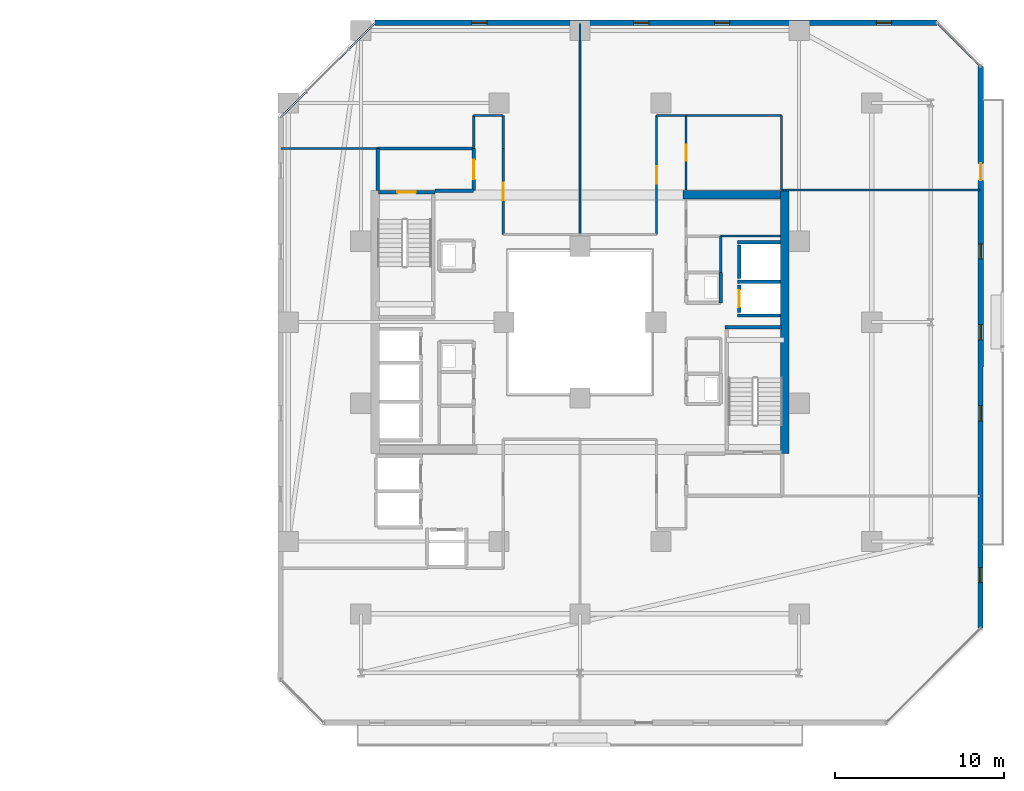
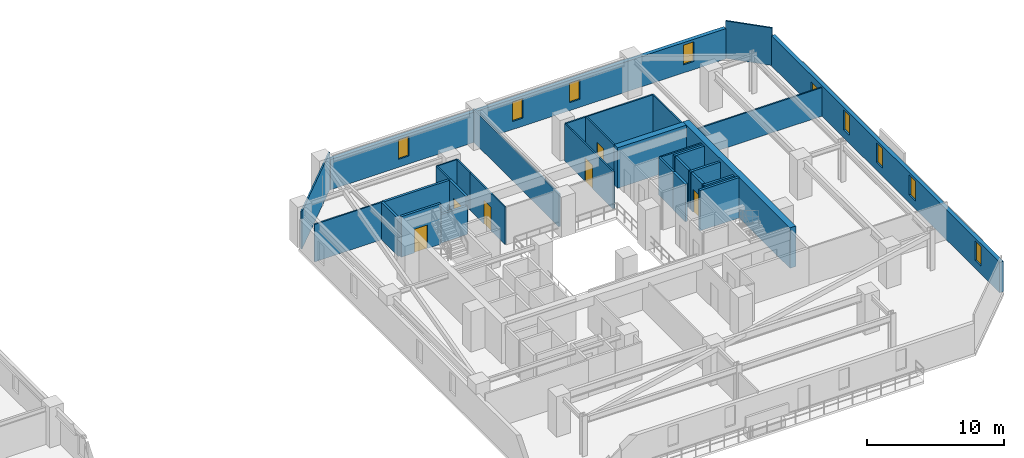
# One storey, part 23 of 31: 32 walls, 8 windows, 7 doors, 15 openings.
"""IFC4 building model written with IfcOpenShell, lengths in metres."""

from ifc_helpers import new_model, si_unit, direction, frame, frame_2d, origin, place, context, subcontext, project, spatial, rectangle, extrude, material, layer, layer_set, type_object, element, fill, save


model = new_model("IFC4")

# Units and contexts
model_context = context("Model", 3, precision=1e-05, world=origin(), true_north=direction((0.0, 1.0)))
body_context = subcontext(model_context, "Body", "Model", "MODEL_VIEW")
ifc_project = project(units=[si_unit("LENGTHUNIT", "METRE"), si_unit("AREAUNIT", "SQUARE_METRE"), si_unit("VOLUMEUNIT", "CUBIC_METRE"), si_unit("PLANEANGLEUNIT", "RADIAN"), si_unit("MASSUNIT", "GRAM", prefix="KILO")], contexts=[model_context])

# Site, building, storey
site_placement = place(None, origin())
site = spatial("IfcSite", under=ifc_project, at=site_placement, CompositionType="ELEMENT")
building_placement = place(site_placement, origin())
building = spatial("IfcBuilding", under=site, at=building_placement, Name="Thornwick Lancets Civic Towers", CompositionType="ELEMENT")
storey_placement = place(building_placement, frame((0.0, 0.0, 126.89990234375)))
storey = spatial("IfcBuildingStorey", under=building, at=storey_placement, Name="L33", CompositionType="ELEMENT", Elevation=126.89990234375)

# Wall, opening, door
ifc_material_1 = material(Name="Concrete blockwork C40/50", Category="masonry")
ifc_layer_1 = layer(ifc_material_1, 0.199951171875, Name="Concrete blockwork C40/50")
ifc_layer_set_1 = layer_set([ifc_layer_1], Name="Concrete blockwork C40/50")
wall_type_1 = type_object("IfcWallType", Name="WALL_COMP_200", PredefinedType="STANDARD", material=ifc_layer_set_1)
wall_1_placement = place(storey_placement, frame((97.949951171875, 29.219970703125, 0.0), z_axis=(0.0, 0.0, 1.0), x_axis=(0.0, -1.0, 0.0)))
wall_1 = element("IfcWall", 1, at=wall_1_placement, inside=storey, type_object=wall_type_1, Name="L33 Hoistway Front Wall FL-B1", PredefinedType="STANDARD", context=body_context, shape_type="SweptSolid", body=[
    extrude(rectangle(XDim=1.639892578125, YDim=0.199951171875, at=frame_2d((0.81982421875, 0.0))), origin(), (0.0, 0.0, 1.0), 3.340087890625),
])
opening_1_placement = place(wall_1_placement, frame((0.31005859375, 0.0, 0.0)))
opening_1 = element("IfcOpeningElement", 2, at=opening_1_placement, cuts=wall_1, Name="Opening LD-FL-B1", PredefinedType="OPENING", context=body_context, shape_type="SweptSolid", body=[
    extrude(rectangle(XDim=1.02001953125, YDim=2.06005859375, at=frame_2d((0.510009765625, 1.030029296875))), frame((0.0, 0.10986328125, 0.0), z_axis=(0.0, -1.0, 0.0), x_axis=(1.0, 0.0, 0.0)), (0.0, 0.0, 1.0), 0.219970703125),
])
ifc_material_2 = material(Name="Brushed bronze stainless steel", Category="steel")
door_type_1 = type_object("IfcDoorType", Name="DOOR_LIFT_SLIDE", OperationType="SLIDING_TO_LEFT", PredefinedType="DOOR", material=ifc_material_2)
door_1_placement = place(opening_1_placement, origin())
door_1 = element("IfcDoor", 3, at=door_1_placement, inside=storey, type_object=door_type_1, Name="L33 Sliding Lift Landing Door LD-FL-B1", OperationType="SLIDING_TO_LEFT", OverallHeight=2.06005859375, OverallWidth=1.02001953125, PredefinedType="DOOR", context=body_context, shape_type="SweptSolid", body=[
    extrude(rectangle(XDim=1.02001953125, YDim=2.06005859375, at=frame_2d((0.510009765625, 1.030029296875))), frame((0.0, 0.02490234375, 0.0), z_axis=(0.0, -1.0, 0.0), x_axis=(1.0, 0.0, 0.0)), (0.0, 0.0, 1.0), 0.050048828125),
])
fill(opening_1, door_1)

# Walls
wall_2_placement = place(storey_placement, frame((97.949951171875, 31.570068359375, 0.0), z_axis=(0.0, 0.0, 1.0), x_axis=(0.0, -1.0, 0.0)))
element("IfcWall", 4, at=wall_2_placement, inside=storey, type_object=wall_type_1, Name="L33 Hoistway Front Wall PL-BH1", PredefinedType="STANDARD", context=body_context, shape_type="SweptSolid", body=[
    extrude(rectangle(XDim=1.989990234375, YDim=0.199951171875, at=frame_2d((0.9951171875, 0.0))), origin(), (0.0, 0.0, 1.0), 3.340087890625),
])
for number, where, z_axis, x_axis, name in (
    (5, (97.85205078125, 29.39990234375, 0.0), (0.0, 0.0, 1.0), (1.0, 0.0, 0.0), "L33 Hoistway Shaft Wall FL-B1 N"),
    (6, (97.85205078125, 27.39990234375, 0.0), (0.0, 0.0, 1.0), (1.0, 0.0, 0.0), "L33 Hoistway Shaft Wall FL-B1 S"),
    (7, (97.85205078125, 31.75, 0.0), (0.0, 0.0, 1.0), (1.0, 0.0, 0.0), "L33 Hoistway Shaft Wall PL-BH1 N"),
):
    element("IfcWall", number, at=place(storey_placement, frame(where, z_axis=z_axis, x_axis=x_axis)), inside=storey, type_object=wall_type_1, Name=name, PredefinedType="STANDARD", context=body_context, shape_type="SweptSolid", body=[
        extrude(rectangle(XDim=2.535888671875, YDim=0.199951171875, at=frame_2d((1.26806640625, 0.0))), origin(), (0.0, 0.0, 1.0), 3.340087890625),
    ])
wall_3_placement = place(storey_placement, frame((79.89990234375, 34.800048828125, 0.0), z_axis=(0.0, 0.0, 1.0), x_axis=(1.0, 0.0, 0.0)))
element("IfcWall", 8, at=wall_3_placement, inside=storey, type_object=wall_type_1, Name="L33 Partition L33-B-FFLOB2 E1", PredefinedType="STANDARD", context=body_context, shape_type="SweptSolid", body=[
    extrude(rectangle(XDim=2.300048828125, YDim=0.199951171875, at=frame_2d((1.14990234375, 0.0))), origin(), (0.0, 0.0, 1.0), 2.545166015625),
])

# Wall, opening, door
wall_4_placement = place(storey_placement, frame((82.199951171875, 34.800048828125, 0.0), z_axis=(0.0, 0.0, 1.0), x_axis=(0.0, 1.0, 0.0)))
wall_4 = element("IfcWall", 9, at=wall_4_placement, inside=storey, type_object=wall_type_1, Name="L33 Partition L33-B-FFLOB2 E2", PredefinedType="STANDARD", context=body_context, shape_type="SweptSolid", body=[
    extrude(rectangle(XDim=2.5, YDim=0.199951171875, at=frame_2d((1.25, 0.0))), origin(), (0.0, 0.0, 1.0), 3.340087890625),
])
opening_2_placement = place(wall_4_placement, frame((0.675048828125, 0.0, 0.0)))
opening_2 = element("IfcOpeningElement", 10, at=opening_2_placement, cuts=wall_4, Name="Opening D-L33-1505", PredefinedType="OPENING", context=body_context, shape_type="SweptSolid", body=[
    extrude(rectangle(XDim=1.14990234375, YDim=2.10009765625, at=frame_2d((0.574951171875, 1.050048828125))), frame((0.0, 0.10986328125, 0.0), z_axis=(0.0, -1.0, 0.0), x_axis=(1.0, 0.0, 0.0)), (0.0, 0.0, 1.0), 0.219970703125),
])
ifc_material_3 = material(Name="Glazed fire-resisting steel", Category="steel")
door_type_2 = type_object("IfcDoorType", Name="DOOR_LOBBY_FD60", OperationType="NOTDEFINED", PredefinedType="DOOR", material=ifc_material_3)
door_2_placement = place(opening_2_placement, origin())
door_2 = element("IfcDoor", 11, at=door_2_placement, inside=storey, type_object=door_type_2, Name="L33 West Firefighting Lobby 2 Door", OperationType="SINGLE_SWING_RIGHT", OverallHeight=2.10009765625, OverallWidth=1.14990234375, PredefinedType="DOOR", context=body_context, shape_type="SweptSolid", body=[
    extrude(rectangle(XDim=1.14990234375, YDim=2.10009765625, at=frame_2d((0.574951171875, 1.050048828125))), frame((0.0, 0.02490234375, 0.0), z_axis=(0.0, -1.0, 0.0), x_axis=(1.0, 0.0, 0.0)), (0.0, 0.0, 1.0), 0.050048828125),
])
fill(opening_2, door_2)

# Walls
wall_5_placement = place(storey_placement, frame((82.199951171875, 37.300048828125, 0.0), z_axis=(0.0, 0.0, 1.0), x_axis=(-1.0, 0.0, 0.0)))
element("IfcWall", 12, at=wall_5_placement, inside=storey, type_object=wall_type_1, Name="L33 Partition L33-B-FFLOB2 E3", PredefinedType="STANDARD", context=body_context, shape_type="SweptSolid", body=[
    extrude(rectangle(XDim=5.699951171875, YDim=0.199951171875, at=frame_2d((2.85009765625, 0.0))), origin(), (0.0, 0.0, 1.0), 3.340087890625),
])
wall_6_placement = place(storey_placement, frame((76.5, 37.300048828125, 0.0), z_axis=(0.0, 0.0, 1.0), x_axis=(0.0, -1.0, 0.0)))
element("IfcWall", 13, at=wall_6_placement, inside=storey, type_object=wall_type_1, Name="L33 Partition L33-B-FFLOB2 E4", PredefinedType="STANDARD", context=body_context, shape_type="SweptSolid", body=[
    extrude(rectangle(XDim=2.5, YDim=0.199951171875, at=frame_2d((1.25, 0.0))), origin(), (0.0, 0.0, 1.0), 3.340087890625),
])
wall_7_placement = place(storey_placement, frame((96.85009765625, 28.14990234375, 0.0), z_axis=(0.0, 0.0, 1.0), x_axis=(0.0, 1.0, 0.0)))
element("IfcWall", 14, at=wall_7_placement, inside=storey, type_object=wall_type_1, Name="L33 Partition L33-B-DUCT1 E2", PredefinedType="STANDARD", context=body_context, shape_type="SweptSolid", body=[
    extrude(rectangle(XDim=1.800048828125, YDim=0.199951171875, at=frame_2d((0.89990234375, 0.0))), origin(), (0.0, 0.0, 1.0), 3.340087890625),
])
ifc_material_4 = material(Name="Concrete C50/60", Category="concrete")
ifc_layer_2 = layer(ifc_material_4, 0.5, Name="Concrete C50/60")
ifc_layer_set_2 = layer_set([ifc_layer_2], Name="Concrete C50/60")
wall_type_2 = type_object("IfcWallType", Name="WALL_CORE_500", PredefinedType="SHEAR", material=ifc_layer_set_2)
wall_8_placement = place(storey_placement, frame((100.64990234375, 19.199951171875, 0.0), z_axis=(0.0, 0.0, 1.0), x_axis=(0.0, 1.0, 0.0)))
element("IfcWall", 15, at=wall_8_placement, inside=storey, type_object=wall_type_2, Name="L33 Split Core B1 Shear Wall E", PredefinedType="SHEAR", context=body_context, shape_type="SweptSolid", body=[
    extrude(rectangle(XDim=15.60009765625, YDim=0.5, at=frame_2d((7.800048828125, 0.0))), origin(), (0.0, 0.0, 1.0), 3.60009765625),
])
wall_9_placement = place(storey_placement, frame((94.60009765625, 34.550048828125, 0.0), z_axis=(0.0, 0.0, 1.0), x_axis=(1.0, 0.0, 0.0)))
element("IfcWall", 16, at=wall_9_placement, inside=storey, type_object=wall_type_2, Name="L33 Split Core B1 Shear Wall N", PredefinedType="SHEAR", context=body_context, shape_type="SweptSolid", body=[
    extrude(rectangle(XDim=5.7998046875, YDim=0.5, at=frame_2d((2.89990234375, 0.0))), origin(), (0.0, 0.0, 1.0), 3.60009765625),
])

# Wall, openings, door, windows
ifc_material_5 = material(Name="Insulated buff terracotta rainscreen on concrete C40/50", Category="masonry")
ifc_layer_3 = layer(ifc_material_5, 0.320068359375, Name="Insulated buff terracotta rainscreen on concrete C40/50")
ifc_layer_set_3 = layer_set([ifc_layer_3], Name="Insulated buff terracotta rainscreen on concrete C40/50")
wall_type_3 = type_object("IfcWallType", Name="WALL_EXT_TERRA_320", PredefinedType="STANDARD", material=ifc_layer_set_3)
wall_10_placement = place(storey_placement, frame((112.254638671875, 8.85205078125, 0.0), z_axis=(0.0, 0.0, 1.0), x_axis=(0.000300328883, 0.999999954901, 0.0)))
wall_10 = element("IfcWall", 17, at=wall_10_placement, inside=storey, type_object=wall_type_3, Name="L33 Tower B Terracotta Facade Wall E2", PredefinedType="STANDARD", context=body_context, shape_type="SweptSolid", body=[
    extrude(rectangle(XDim=33.329345703125, YDim=0.320068359375, at=frame_2d((16.66455078125, 0.0))), origin(), (0.0, 0.0, 1.0), 2.7001953125),
])
opening_3_placement = place(wall_10_placement, frame((26.564697265625, 0.0, 0.0)))
opening_3 = element("IfcOpeningElement", 18, at=opening_3_placement, cuts=wall_10, Name="Opening D-BL-L33-BE", PredefinedType="OPENING", context=body_context, shape_type="SweptSolid", body=[
    extrude(rectangle(XDim=1.0, YDim=2.080078125, at=frame_2d((0.5, 1.0400390625))), frame((0.0, 0.169921875, 0.0), z_axis=(0.0, -1.0, 0.0), x_axis=(1.0, 0.0, 0.0)), (0.0, 0.0, 1.0), 0.340087890625),
])
opening_4_placement = place(wall_10_placement, frame((2.699951171875, 0.0, 0.719970703125)))
opening_4 = element("IfcOpeningElement", 19, at=opening_4_placement, cuts=wall_10, Name="Opening WL-01", PredefinedType="OPENING", context=body_context, shape_type="SweptSolid", body=[
    extrude(rectangle(XDim=0.89990234375, YDim=1.75, at=frame_2d((0.449951171875, 0.875))), frame((0.0, 0.169921875, 0.0), z_axis=(0.0, -1.0, 0.0), x_axis=(1.0, 0.0, 0.0)), (0.0, 0.0, 1.0), 0.340087890625),
])
opening_5_placement = place(wall_10_placement, frame((12.300048828125, 0.0, 0.719970703125)))
opening_5 = element("IfcOpeningElement", 20, at=opening_5_placement, cuts=wall_10, Name="Opening WL-01", PredefinedType="OPENING", context=body_context, shape_type="SweptSolid", body=[
    extrude(rectangle(XDim=0.89990234375, YDim=1.75, at=frame_2d((0.449951171875, 0.875))), frame((0.0, 0.169921875, 0.0), z_axis=(0.0, -1.0, 0.0), x_axis=(1.0, 0.0, 0.0)), (0.0, 0.0, 1.0), 0.340087890625),
])
opening_6_placement = place(wall_10_placement, frame((17.10009765625, 0.0, 0.719970703125)))
opening_6 = element("IfcOpeningElement", 21, at=opening_6_placement, cuts=wall_10, Name="Opening WL-01", PredefinedType="OPENING", context=body_context, shape_type="SweptSolid", body=[
    extrude(rectangle(XDim=0.89990234375, YDim=1.75, at=frame_2d((0.449951171875, 0.875))), frame((0.0, 0.169921875, 0.0), z_axis=(0.0, -1.0, 0.0), x_axis=(1.0, 0.0, 0.0)), (0.0, 0.0, 1.0), 0.340087890625),
])
opening_7_placement = place(wall_10_placement, frame((21.89990234375, 0.0, 0.719970703125)))
opening_7 = element("IfcOpeningElement", 22, at=opening_7_placement, cuts=wall_10, Name="Opening WL-01", PredefinedType="OPENING", context=body_context, shape_type="SweptSolid", body=[
    extrude(rectangle(XDim=0.89990234375, YDim=1.75, at=frame_2d((0.449951171875, 0.875))), frame((0.0, 0.169921875, 0.0), z_axis=(0.0, -1.0, 0.0), x_axis=(1.0, 0.0, 0.0)), (0.0, 0.0, 1.0), 0.340087890625),
])
ifc_material_6 = material(Name="Thermally broken glazed loggia doorset")
door_type_3 = type_object("IfcDoorType", Name="DOOR_BALC_1000", OperationType="NOTDEFINED", PredefinedType="DOOR", material=ifc_material_6)
door_3_placement = place(opening_3_placement, origin())
door_3 = element("IfcDoor", 23, at=door_3_placement, inside=storey, type_object=door_type_3, Name="L33 Tower B Loggia Balcony Door E", OperationType="SINGLE_SWING_RIGHT", OverallHeight=2.080078125, OverallWidth=1.0, PredefinedType="DOOR", context=body_context, shape_type="SweptSolid", body=[
    extrude(rectangle(XDim=1.0, YDim=2.080078125, at=frame_2d((0.5, 1.0400390625))), frame((0.0, 0.02490234375, 0.0), z_axis=(0.0, -1.0, 0.0), x_axis=(1.0, 0.0, 0.0)), (0.0, 0.0, 1.0), 0.050048828125),
])
fill(opening_3, door_3)
ifc_material_7 = material(Name="Clear low-e double glazing in bronze frame", Category="glass")
window_type = type_object("IfcWindowType", Name="WIN_LANCET_900", PartitioningType="SINGLE_PANEL", PredefinedType="WINDOW", material=ifc_material_7)
window_1_placement = place(opening_4_placement, origin())
window_1 = element("IfcWindow", 24, at=window_1_placement, inside=storey, type_object=window_type, Name="L33 Tower B Staggered Lancet Window E2-1", OverallHeight=1.75, OverallWidth=0.89990234375, PartitioningType="SINGLE_PANEL", PredefinedType="WINDOW", context=body_context, shape_type="SweptSolid", body=[
    extrude(rectangle(XDim=0.89990234375, YDim=1.75, at=frame_2d((0.449951171875, 0.875))), frame((0.0, 0.030029296875, 0.0), z_axis=(0.0, -1.0, 0.0), x_axis=(1.0, 0.0, 0.0)), (0.0, 0.0, 1.0), 0.06005859375),
])
fill(opening_4, window_1)
window_2_placement = place(opening_5_placement, origin())
window_2 = element("IfcWindow", 25, at=window_2_placement, inside=storey, type_object=window_type, Name="L33 Tower B Staggered Lancet Window E2-2", OverallHeight=1.75, OverallWidth=0.89990234375, PartitioningType="SINGLE_PANEL", PredefinedType="WINDOW", context=body_context, shape_type="SweptSolid", body=[
    extrude(rectangle(XDim=0.89990234375, YDim=1.75, at=frame_2d((0.449951171875, 0.875))), frame((0.0, 0.030029296875, 0.0), z_axis=(0.0, -1.0, 0.0), x_axis=(1.0, 0.0, 0.0)), (0.0, 0.0, 1.0), 0.06005859375),
])
fill(opening_5, window_2)
window_3_placement = place(opening_6_placement, origin())
window_3 = element("IfcWindow", 26, at=window_3_placement, inside=storey, type_object=window_type, Name="L33 Tower B Staggered Lancet Window E2-3", OverallHeight=1.75, OverallWidth=0.89990234375, PartitioningType="SINGLE_PANEL", PredefinedType="WINDOW", context=body_context, shape_type="SweptSolid", body=[
    extrude(rectangle(XDim=0.89990234375, YDim=1.75, at=frame_2d((0.449951171875, 0.875))), frame((0.0, 0.030029296875, 0.0), z_axis=(0.0, -1.0, 0.0), x_axis=(1.0, 0.0, 0.0)), (0.0, 0.0, 1.0), 0.06005859375),
])
fill(opening_6, window_3)
window_4_placement = place(opening_7_placement, origin())
window_4 = element("IfcWindow", 27, at=window_4_placement, inside=storey, type_object=window_type, Name="L33 Tower B Staggered Lancet Window E2-4", OverallHeight=1.75, OverallWidth=0.89990234375, PartitioningType="SINGLE_PANEL", PredefinedType="WINDOW", context=body_context, shape_type="SweptSolid", body=[
    extrude(rectangle(XDim=0.89990234375, YDim=1.75, at=frame_2d((0.449951171875, 0.875))), frame((0.0, 0.030029296875, 0.0), z_axis=(0.0, -1.0, 0.0), x_axis=(1.0, 0.0, 0.0)), (0.0, 0.0, 1.0), 0.06005859375),
])
fill(opening_7, window_4)

# Wall, openings, windows
wall_11_placement = place(storey_placement, frame((109.681396484375, 44.7646484375, 0.0), z_axis=(0.0, 0.0, 1.0), x_axis=(-0.999999954901, -0.000300328883, 0.0)))
wall_11 = element("IfcWall", 28, at=wall_11_placement, inside=storey, type_object=wall_type_3, Name="L33 Tower B Terracotta Facade Wall E4", PredefinedType="STANDARD", context=body_context, shape_type="SweptSolid", body=[
    extrude(rectangle(XDim=33.329345703125, YDim=0.320068359375, at=frame_2d((16.66455078125, 0.0))), origin(), (0.0, 0.0, 1.0), 2.7001953125),
])
opening_8_placement = place(wall_11_placement, frame((2.699951171875, 0.0, 0.719970703125)))
opening_8 = element("IfcOpeningElement", 29, at=opening_8_placement, cuts=wall_11, Name="Opening WL-01", PredefinedType="OPENING", context=body_context, shape_type="SweptSolid", body=[
    extrude(rectangle(XDim=0.89990234375, YDim=1.75, at=frame_2d((0.449951171875, 0.875))), frame((0.0, 0.169921875, 0.0), z_axis=(0.0, -1.0, 0.0), x_axis=(1.0, 0.0, 0.0)), (0.0, 0.0, 1.0), 0.340087890625),
])
opening_9_placement = place(wall_11_placement, frame((12.300048828125, 0.0, 0.719970703125)))
opening_9 = element("IfcOpeningElement", 30, at=opening_9_placement, cuts=wall_11, Name="Opening WL-01", PredefinedType="OPENING", context=body_context, shape_type="SweptSolid", body=[
    extrude(rectangle(XDim=0.89990234375, YDim=1.75, at=frame_2d((0.449951171875, 0.875))), frame((0.0, 0.169921875, 0.0), z_axis=(0.0, -1.0, 0.0), x_axis=(1.0, 0.0, 0.0)), (0.0, 0.0, 1.0), 0.340087890625),
])
opening_10_placement = place(wall_11_placement, frame((17.10009765625, 0.0, 0.719970703125)))
opening_10 = element("IfcOpeningElement", 31, at=opening_10_placement, cuts=wall_11, Name="Opening WL-01", PredefinedType="OPENING", context=body_context, shape_type="SweptSolid", body=[
    extrude(rectangle(XDim=0.89990234375, YDim=1.75, at=frame_2d((0.449951171875, 0.875))), frame((0.0, 0.169921875, 0.0), z_axis=(0.0, -1.0, 0.0), x_axis=(1.0, 0.0, 0.0)), (0.0, 0.0, 1.0), 0.340087890625),
])
opening_11_placement = place(wall_11_placement, frame((26.699951171875, 0.0, 0.719970703125)))
opening_11 = element("IfcOpeningElement", 32, at=opening_11_placement, cuts=wall_11, Name="Opening WL-01", PredefinedType="OPENING", context=body_context, shape_type="SweptSolid", body=[
    extrude(rectangle(XDim=0.89990234375, YDim=1.75, at=frame_2d((0.449951171875, 0.875))), frame((0.0, 0.169921875, 0.0), z_axis=(0.0, -1.0, 0.0), x_axis=(1.0, 0.0, 0.0)), (0.0, 0.0, 1.0), 0.340087890625),
])
window_5_placement = place(opening_8_placement, origin())
window_5 = element("IfcWindow", 33, at=window_5_placement, inside=storey, type_object=window_type, Name="L33 Tower B Staggered Lancet Window E4-1", OverallHeight=1.75, OverallWidth=0.89990234375, PartitioningType="SINGLE_PANEL", PredefinedType="WINDOW", context=body_context, shape_type="SweptSolid", body=[
    extrude(rectangle(XDim=0.89990234375, YDim=1.75, at=frame_2d((0.449951171875, 0.875))), frame((0.0, 0.030029296875, 0.0), z_axis=(0.0, -1.0, 0.0), x_axis=(1.0, 0.0, 0.0)), (0.0, 0.0, 1.0), 0.06005859375),
])
fill(opening_8, window_5)
window_6_placement = place(opening_9_placement, origin())
window_6 = element("IfcWindow", 34, at=window_6_placement, inside=storey, type_object=window_type, Name="L33 Tower B Staggered Lancet Window E4-2", OverallHeight=1.75, OverallWidth=0.89990234375, PartitioningType="SINGLE_PANEL", PredefinedType="WINDOW", context=body_context, shape_type="SweptSolid", body=[
    extrude(rectangle(XDim=0.89990234375, YDim=1.75, at=frame_2d((0.449951171875, 0.875))), frame((0.0, 0.030029296875, 0.0), z_axis=(0.0, -1.0, 0.0), x_axis=(1.0, 0.0, 0.0)), (0.0, 0.0, 1.0), 0.06005859375),
])
fill(opening_9, window_6)
window_7_placement = place(opening_10_placement, origin())
window_7 = element("IfcWindow", 35, at=window_7_placement, inside=storey, type_object=window_type, Name="L33 Tower B Staggered Lancet Window E4-3", OverallHeight=1.75, OverallWidth=0.89990234375, PartitioningType="SINGLE_PANEL", PredefinedType="WINDOW", context=body_context, shape_type="SweptSolid", body=[
    extrude(rectangle(XDim=0.89990234375, YDim=1.75, at=frame_2d((0.449951171875, 0.875))), frame((0.0, 0.030029296875, 0.0), z_axis=(0.0, -1.0, 0.0), x_axis=(1.0, 0.0, 0.0)), (0.0, 0.0, 1.0), 0.06005859375),
])
fill(opening_10, window_7)
window_8_placement = place(opening_11_placement, origin())
window_8 = element("IfcWindow", 36, at=window_8_placement, inside=storey, type_object=window_type, Name="L33 Tower B Staggered Lancet Window E4-4", OverallHeight=1.75, OverallWidth=0.89990234375, PartitioningType="SINGLE_PANEL", PredefinedType="WINDOW", context=body_context, shape_type="SweptSolid", body=[
    extrude(rectangle(XDim=0.89990234375, YDim=1.75, at=frame_2d((0.449951171875, 0.875))), frame((0.0, 0.030029296875, 0.0), z_axis=(0.0, -1.0, 0.0), x_axis=(1.0, 0.0, 0.0)), (0.0, 0.0, 1.0), 0.06005859375),
])
fill(opening_11, window_8)

# Walls
ifc_material_8 = material(Name="Acoustic gypsum board partition")
ifc_layer_4 = layer(ifc_material_8, 0.1201171875, Name="Acoustic gypsum board partition")
ifc_layer_set_4 = layer_set([ifc_layer_4], Name="Acoustic gypsum board partition")
wall_type_4 = type_object("IfcWallType", Name="WALL_PART_120", PredefinedType="PARTITIONING", material=ifc_layer_set_4)
wall_12_placement = place(storey_placement, frame((100.39990234375, 32.10009765625, 0.0), z_axis=(0.0, 0.0, 1.0), x_axis=(-1.0, 0.0, 0.0)))
element("IfcWall", 37, at=wall_12_placement, inside=storey, type_object=wall_type_4, Name="L33 Partition L33-B-ITR E4", PredefinedType="PARTITIONING", context=body_context, shape_type="SweptSolid", body=[
    extrude(rectangle(XDim=3.5498046875, YDim=0.1201171875, at=frame_2d((1.77490234375, 0.0))), origin(), (0.0, 0.0, 1.0), 3.340087890625),
])
wall_13_placement = place(storey_placement, frame((100.449951171875, 39.25, 0.0), z_axis=(0.0, 0.0, 1.0), x_axis=(0.0, -1.0, 0.0)))
element("IfcWall", 38, at=wall_13_placement, inside=storey, type_object=wall_type_4, Name="L33 Partition L33-B-RECLAIM-L1 E1", PredefinedType="PARTITIONING", context=body_context, shape_type="SweptSolid", body=[
    extrude(rectangle(XDim=4.39990234375, YDim=0.1201171875, at=frame_2d((2.199951171875, 0.0))), origin(), (0.0, 0.0, 1.0), 3.340087890625),
])

# Wall, opening, door
wall_14_placement = place(storey_placement, frame((94.800048828125, 34.85009765625, 0.0), z_axis=(0.0, 0.0, 1.0), x_axis=(0.0, 1.0, 0.0)))
wall_14 = element("IfcWall", 39, at=wall_14_placement, inside=storey, type_object=wall_type_4, Name="L33 Partition L33-B-RECLAIM-L1 E3", PredefinedType="PARTITIONING", context=body_context, shape_type="SweptSolid", body=[
    extrude(rectangle(XDim=4.39990234375, YDim=0.1201171875, at=frame_2d((2.199951171875, 0.0))), origin(), (0.0, 0.0, 1.0), 3.340087890625),
])
opening_12_placement = place(wall_14_placement, frame((1.72509765625, 0.0, 0.0)))
opening_12 = element("IfcOpeningElement", 40, at=opening_12_placement, cuts=wall_14, Name="Opening D-L33-1520", PredefinedType="OPENING", context=body_context, shape_type="SweptSolid", body=[
    extrude(rectangle(XDim=0.949951171875, YDim=2.10009765625, at=frame_2d((0.47509765625, 1.050048828125))), frame((0.0, 0.070068359375, 0.0), z_axis=(0.0, -1.0, 0.0), x_axis=(1.0, 0.0, 0.0)), (0.0, 0.0, 1.0), 0.14013671875),
])
ifc_material_9 = material(Name="European oak acoustic doorset")
door_type_4 = type_object("IfcDoorType", Name="DOOR_OFFICE_950", OperationType="NOTDEFINED", PredefinedType="DOOR", material=ifc_material_9)
door_4_placement = place(opening_12_placement, origin())
door_4 = element("IfcDoor", 41, at=door_4_placement, inside=storey, type_object=door_type_4, Name="L33 Tower B Policy Archive and Library Door", OperationType="SINGLE_SWING_LEFT", OverallHeight=2.10009765625, OverallWidth=0.949951171875, PredefinedType="DOOR", context=body_context, shape_type="SweptSolid", body=[
    extrude(rectangle(XDim=0.949951171875, YDim=2.10009765625, at=frame_2d((0.47509765625, 1.050048828125))), frame((0.0, 0.02490234375, 0.0), z_axis=(0.0, -1.0, 0.0), x_axis=(1.0, 0.0, 0.0)), (0.0, 0.0, 1.0), 0.050048828125),
])
fill(opening_12, door_4)

# Walls
wall_15_placement = place(storey_placement, frame((94.800048828125, 39.25, 0.0), z_axis=(0.0, 0.0, 1.0), x_axis=(1.0, 0.0, 0.0)))
element("IfcWall", 42, at=wall_15_placement, inside=storey, type_object=wall_type_4, Name="L33 Partition L33-B-RECLAIM-L1 E4", PredefinedType="PARTITIONING", context=body_context, shape_type="SweptSolid", body=[
    extrude(rectangle(XDim=5.64990234375, YDim=0.1201171875, at=frame_2d((2.824951171875, 0.0))), origin(), (0.0, 0.0, 1.0), 3.340087890625),
])
wall_16_placement = place(storey_placement, frame((94.800048828125, 39.25, 0.0), z_axis=(0.0, 0.0, 1.0), x_axis=(-1.0, 0.0, 0.0)))
element("IfcWall", 43, at=wall_16_placement, inside=storey, type_object=wall_type_4, Name="L33 Partition L33-B-E1 E3", PredefinedType="PARTITIONING", context=body_context, shape_type="SweptSolid", body=[
    extrude(rectangle(XDim=1.75, YDim=0.1201171875, at=frame_2d((0.875, 0.0))), origin(), (0.0, 0.0, 1.0), 3.340087890625),
])

# Wall, opening, door
wall_17_placement = place(storey_placement, frame((93.050048828125, 39.25, 0.0), z_axis=(0.0, 0.0, 1.0), x_axis=(0.0, -1.0, 0.0)))
wall_17 = element("IfcWall", 44, at=wall_17_placement, inside=storey, type_object=wall_type_4, Name="L33 Partition L33-B-E1 E4", PredefinedType="PARTITIONING", context=body_context, shape_type="SweptSolid", body=[
    extrude(rectangle(XDim=7.050048828125, YDim=0.1201171875, at=frame_2d((3.52490234375, 0.0))), origin(), (0.0, 0.0, 1.0), 3.340087890625),
])
opening_13_placement = place(wall_17_placement, frame((3.0, 0.0, 0.0)))
opening_13 = element("IfcOpeningElement", 45, at=opening_13_placement, cuts=wall_17, Name="Opening D-L33-1523", PredefinedType="OPENING", context=body_context, shape_type="SweptSolid", body=[
    extrude(rectangle(XDim=1.050048828125, YDim=2.10009765625, at=frame_2d((0.52490234375, 1.050048828125))), frame((0.0, 0.070068359375, 0.0), z_axis=(0.0, -1.0, 0.0), x_axis=(1.0, 0.0, 0.0)), (0.0, 0.0, 1.0), 0.14013671875),
])
ifc_material_10 = material(Name="Glazed European oak executive doorset")
door_type_5 = type_object("IfcDoorType", Name="DOOR_OFFICE_1050", OperationType="NOTDEFINED", PredefinedType="DOOR", material=ifc_material_10)
door_5_placement = place(opening_13_placement, origin())
door_5 = element("IfcDoor", 46, at=door_5_placement, inside=storey, type_object=door_type_5, Name="L33 Tower B Secretariat Open Office E1 Door", OperationType="SINGLE_SWING_RIGHT", OverallHeight=2.10009765625, OverallWidth=1.050048828125, PredefinedType="DOOR", context=body_context, shape_type="SweptSolid", body=[
    extrude(rectangle(XDim=1.050048828125, YDim=2.10009765625, at=frame_2d((0.52490234375, 1.050048828125))), frame((0.0, 0.02490234375, 0.0), z_axis=(0.0, -1.0, 0.0), x_axis=(1.0, 0.0, 0.0)), (0.0, 0.0, 1.0), 0.050048828125),
])
fill(opening_13, door_5)

# Walls
wall_18_placement = place(storey_placement, frame((88.5, 32.199951171875, 0.0), z_axis=(0.0, 0.0, 1.0), x_axis=(0.0, 1.0, 0.0)))
element("IfcWall", 47, at=wall_18_placement, inside=storey, type_object=wall_type_4, Name="L33 Partition L33-B-E1 E6", PredefinedType="PARTITIONING", context=body_context, shape_type="SweptSolid", body=[
    extrude(rectangle(XDim=12.52001953125, YDim=0.1201171875, at=frame_2d((6.260009765625, 0.0))), origin(), (0.0, 0.0, 1.0), 2.932373046875),
])
wall_19_placement = place(storey_placement, frame((109.725341796875, 44.719970703125, 0.0), z_axis=(0.0, 0.0, 1.0), x_axis=(0.707106781187, -0.707106781187, 0.0)))
element("IfcWall", 48, at=wall_19_placement, inside=storey, type_object=wall_type_4, Name="L33 Partition L33-B-E1 E8", PredefinedType="PARTITIONING", context=body_context, shape_type="SweptSolid", body=[
    extrude(rectangle(XDim=3.52783203125, YDim=0.1201171875, at=frame_2d((1.763916015625, 0.0))), origin(), (0.0, 0.0, 1.0), 3.340087890625),
])
wall_20_placement = place(storey_placement, frame((112.219970703125, 34.85009765625, 0.0), z_axis=(0.0, 0.0, 1.0), x_axis=(-1.0, 0.0, 0.0)))
element("IfcWall", 49, at=wall_20_placement, inside=storey, type_object=wall_type_4, Name="L33 Partition L33-B-E1 E10", PredefinedType="PARTITIONING", context=body_context, shape_type="SweptSolid", body=[
    extrude(rectangle(XDim=11.77001953125, YDim=0.1201171875, at=frame_2d((5.885009765625, 0.0))), origin(), (0.0, 0.0, 1.0), 2.545166015625),
])

# Wall, opening, door
wall_21_placement = place(storey_placement, frame((83.949951171875, 32.199951171875, 0.0), z_axis=(0.0, 0.0, 1.0), x_axis=(0.0, 1.0, 0.0)))
wall_21 = element("IfcWall", 50, at=wall_21_placement, inside=storey, type_object=wall_type_4, Name="L33 Partition L33-B-E3 E1", PredefinedType="PARTITIONING", context=body_context, shape_type="SweptSolid", body=[
    extrude(rectangle(XDim=5.10009765625, YDim=0.1201171875, at=frame_2d((2.550048828125, 0.0))), origin(), (0.0, 0.0, 1.0), 3.340087890625),
])
opening_14_placement = place(wall_21_placement, frame((2.02490234375, 0.0, 0.0)))
opening_14 = element("IfcOpeningElement", 51, at=opening_14_placement, cuts=wall_21, Name="Opening D-L33-1524", PredefinedType="OPENING", context=body_context, shape_type="SweptSolid", body=[
    extrude(rectangle(XDim=1.050048828125, YDim=2.10009765625, at=frame_2d((0.52490234375, 1.050048828125))), frame((0.0, 0.070068359375, 0.0), z_axis=(0.0, -1.0, 0.0), x_axis=(1.0, 0.0, 0.0)), (0.0, 0.0, 1.0), 0.14013671875),
])
door_6_placement = place(opening_14_placement, origin())
door_6 = element("IfcDoor", 52, at=door_6_placement, inside=storey, type_object=door_type_5, Name="L33 Tower B Civic Seminar Room Door", OperationType="SINGLE_SWING_LEFT", OverallHeight=2.10009765625, OverallWidth=1.050048828125, PredefinedType="DOOR", context=body_context, shape_type="SweptSolid", body=[
    extrude(rectangle(XDim=1.050048828125, YDim=2.10009765625, at=frame_2d((0.52490234375, 1.050048828125))), frame((0.0, 0.02490234375, 0.0), z_axis=(0.0, -1.0, 0.0), x_axis=(1.0, 0.0, 0.0)), (0.0, 0.0, 1.0), 0.050048828125),
])
fill(opening_14, door_6)

# Walls
wall_22_placement = place(storey_placement, frame((83.949951171875, 37.300048828125, 0.0), z_axis=(0.0, 0.0, 1.0), x_axis=(0.0, 1.0, 0.0)))
element("IfcWall", 53, at=wall_22_placement, inside=storey, type_object=wall_type_4, Name="L33 Partition L33-B-E3 E2", PredefinedType="PARTITIONING", context=body_context, shape_type="SweptSolid", body=[
    extrude(rectangle(XDim=1.949951171875, YDim=0.1201171875, at=frame_2d((0.97509765625, 0.0))), origin(), (0.0, 0.0, 1.0), 3.340087890625),
])
wall_23_placement = place(storey_placement, frame((83.949951171875, 39.25, 0.0), z_axis=(0.0, 0.0, 1.0), x_axis=(-1.0, 0.0, 0.0)))
element("IfcWall", 54, at=wall_23_placement, inside=storey, type_object=wall_type_4, Name="L33 Partition L33-B-E3 E3", PredefinedType="PARTITIONING", context=body_context, shape_type="SweptSolid", body=[
    extrude(rectangle(XDim=1.75, YDim=0.1201171875, at=frame_2d((0.875, 0.0))), origin(), (0.0, 0.0, 1.0), 3.340087890625),
])
wall_24_placement = place(storey_placement, frame((82.199951171875, 39.25, 0.0), z_axis=(0.0, 0.0, 1.0), x_axis=(0.0, -1.0, 0.0)))
element("IfcWall", 55, at=wall_24_placement, inside=storey, type_object=wall_type_4, Name="L33 Partition L33-B-E3 E4", PredefinedType="PARTITIONING", context=body_context, shape_type="SweptSolid", body=[
    extrude(rectangle(XDim=1.949951171875, YDim=0.1201171875, at=frame_2d((0.97509765625, 0.0))), origin(), (0.0, 0.0, 1.0), 3.340087890625),
])
wall_25_placement = place(storey_placement, frame((76.5, 37.300048828125, 0.0), z_axis=(0.0, 0.0, 1.0), x_axis=(-1.0, 0.0, 0.0)))
element("IfcWall", 56, at=wall_25_placement, inside=storey, type_object=wall_type_4, Name="L33 Partition L33-B-E3 E6", PredefinedType="PARTITIONING", context=body_context, shape_type="SweptSolid", body=[
    extrude(rectangle(XDim=5.719970703125, YDim=0.1201171875, at=frame_2d((2.85986328125, 0.0))), origin(), (0.0, 0.0, 1.0), 3.340087890625),
])
wall_26_placement = place(storey_placement, frame((70.780029296875, 39.179443359375, 0.0), z_axis=(0.0, 0.0, 1.0), x_axis=(0.707106781187, 0.707106781187, 0.0)))
element("IfcWall", 57, at=wall_26_placement, inside=storey, type_object=wall_type_4, Name="L33 Partition L33-B-E3 E8", PredefinedType="PARTITIONING", context=body_context, shape_type="SweptSolid", body=[
    extrude(rectangle(XDim=7.83544921875, YDim=0.1201171875, at=frame_2d((3.917724609375, 0.0))), origin(), (0.0, 0.0, 1.0), 3.340087890625),
])
ifc_material_11 = material(Name="Twin-stud acoustic gypsum board")
ifc_layer_5 = layer(ifc_material_11, 0.14990234375, Name="Twin-stud acoustic gypsum board")
ifc_layer_set_5 = layer_set([ifc_layer_5], Name="Twin-stud acoustic gypsum board")
wall_type_5 = type_object("IfcWallType", Name="WALL_PART_150", PredefinedType="PARTITIONING", material=ifc_layer_set_5)
wall_27_placement = place(storey_placement, frame((96.85009765625, 32.10009765625, 0.0), z_axis=(0.0, 0.0, 1.0), x_axis=(0.0, -1.0, 0.0)))
element("IfcWall", 58, at=wall_27_placement, inside=storey, type_object=wall_type_5, Name="L33 Partition L33-B-FWC E3", PredefinedType="PARTITIONING", context=body_context, shape_type="SweptSolid", body=[
    extrude(rectangle(XDim=2.150146484375, YDim=0.14990234375, at=frame_2d((1.0751953125, 0.0))), origin(), (0.0, 0.0, 1.0), 3.340087890625),
])
ifc_material_12 = material(Name="Concrete C40/50", Category="concrete")
ifc_layer_6 = layer(ifc_material_12, 0.199951171875, Name="Concrete C40/50")
ifc_layer_set_6 = layer_set([ifc_layer_6], Name="Concrete C40/50")
wall_type_6 = type_object("IfcWallType", Name="WALL_SHAFT_200", PredefinedType="SHEAR", material=ifc_layer_set_6)
wall_28_placement = place(storey_placement, frame((97.10009765625, 26.699951171875, 0.0), z_axis=(0.0, 0.0, 1.0), x_axis=(1.0, 0.0, 0.0)))
element("IfcWall", 59, at=wall_28_placement, inside=storey, type_object=wall_type_6, Name="L33 ST-B1 Fire Stair Core Wall FAR", PredefinedType="SHEAR", context=body_context, shape_type="SweptSolid", body=[
    extrude(rectangle(XDim=3.349853515625, YDim=0.199951171875, at=frame_2d((1.6748046875, 0.0))), origin(), (0.0, 0.0, 1.0), 3.60009765625),
])

# Wall, opening, door
wall_29_placement = place(storey_placement, frame((76.550048828125, 34.699951171875, 0.0), z_axis=(0.0, 0.0, 1.0), x_axis=(1.0, 0.0, 0.0)))
wall_29 = element("IfcWall", 60, at=wall_29_placement, inside=storey, type_object=wall_type_6, Name="L33 ST-B2 Fire Stair Core Wall NEAR", PredefinedType="SHEAR", context=body_context, shape_type="SweptSolid", body=[
    extrude(rectangle(XDim=3.349853515625, YDim=0.199951171875, at=frame_2d((1.6748046875, 0.0))), origin(), (0.0, 0.0, 1.0), 3.60009765625),
])
opening_15_placement = place(wall_29_placement, frame((1.125, 0.0, 0.0)))
opening_15 = element("IfcOpeningElement", 61, at=opening_15_placement, cuts=wall_29, Name="Opening D-ST-B2-L33", PredefinedType="OPENING", context=body_context, shape_type="SweptSolid", body=[
    extrude(rectangle(XDim=1.10009765625, YDim=2.10009765625, at=frame_2d((0.550048828125, 1.050048828125))), frame((0.0, 0.10986328125, 0.0), z_axis=(0.0, -1.0, 0.0), x_axis=(1.0, 0.0, 0.0)), (0.0, 0.0, 1.0), 0.219970703125),
])
ifc_material_13 = material(Name="Fire-resisting steel and hardwood", Category="steel")
door_type_6 = type_object("IfcDoorType", Name="DOOR_STAIR_FD60", OperationType="NOTDEFINED", PredefinedType="DOOR", material=ifc_material_13)
door_7_placement = place(opening_15_placement, origin())
door_7 = element("IfcDoor", 62, at=door_7_placement, inside=storey, type_object=door_type_6, Name="L33 ST-B2 Exit Stair Door", OperationType="SINGLE_SWING_LEFT", OverallHeight=2.10009765625, OverallWidth=1.10009765625, PredefinedType="DOOR", context=body_context, shape_type="SweptSolid", body=[
    extrude(rectangle(XDim=1.10009765625, YDim=2.10009765625, at=frame_2d((0.550048828125, 1.050048828125))), frame((0.0, 0.02490234375, 0.0), z_axis=(0.0, -1.0, 0.0), x_axis=(1.0, 0.0, 0.0)), (0.0, 0.0, 1.0), 0.050048828125),
])
fill(opening_15, door_7)

save(model, "model.ifc")
